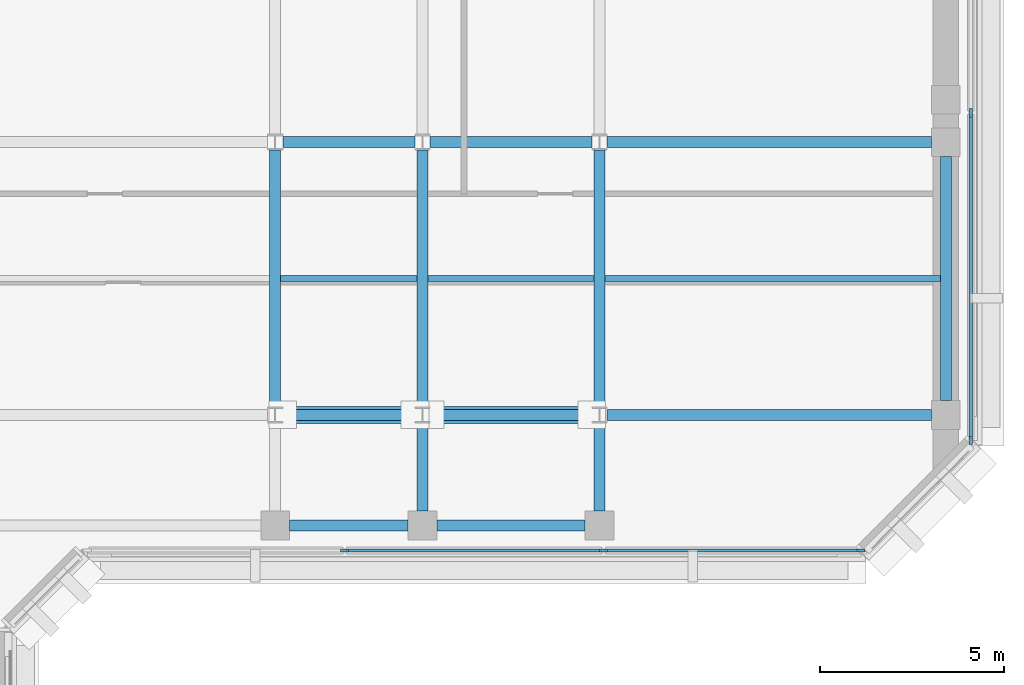
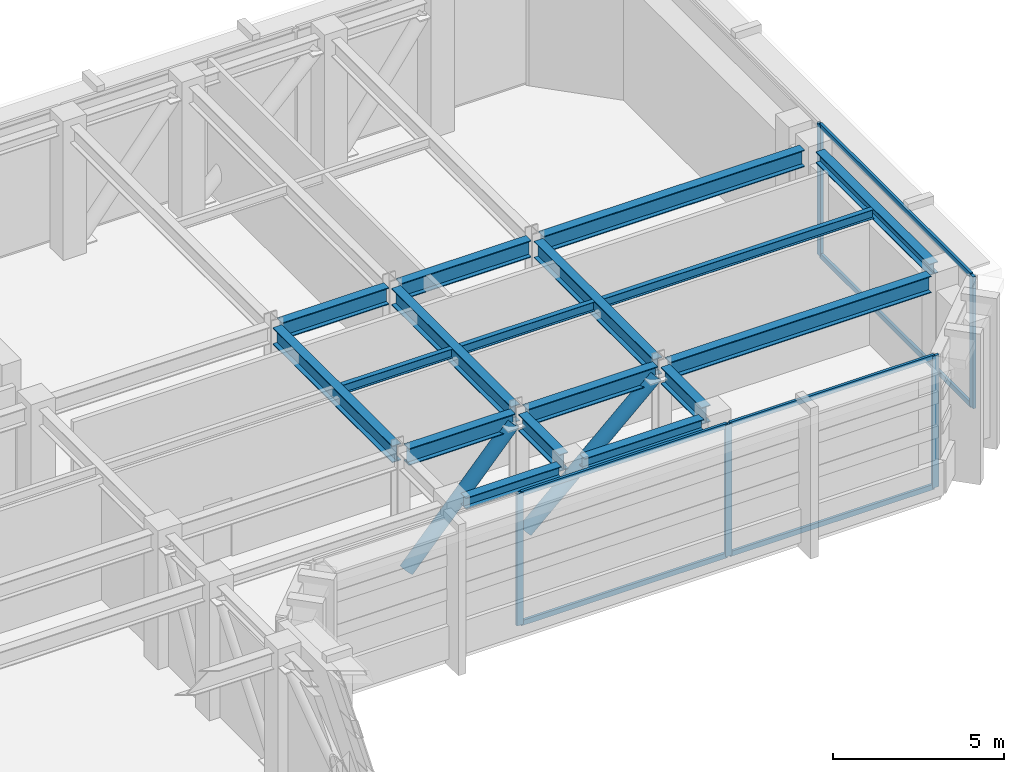
# One storey, part 3 of 11: 17 beams, 13 members, 2 elements without a shape of their own.
"""IFC4 building model written with IfcOpenShell, lengths in metres."""

from ifc_helpers import new_model, si_unit, direction, frame, origin, origin_2d, place, context, subcontext, project, spatial, rectangle, hollow_circle, i_section, extrude, material, layer, layer_set, material_profile, profile_set, type_object, element, aggregate, save


model = new_model("IFC4")

# Units and contexts
model_context = context("Model", 3, precision=1e-05, world=origin(), true_north=direction((0.0, 1.0)))
body_context = subcontext(model_context, "Body", "Model", "MODEL_VIEW")
ifc_project = project(units=[si_unit("LENGTHUNIT", "METRE"), si_unit("AREAUNIT", "SQUARE_METRE"), si_unit("VOLUMEUNIT", "CUBIC_METRE"), si_unit("PLANEANGLEUNIT", "RADIAN"), si_unit("MASSUNIT", "GRAM", prefix="KILO")], contexts=[model_context])

# Site, building, storey
site_placement = place(None, origin())
site = spatial("IfcSite", under=ifc_project, at=site_placement, CompositionType="ELEMENT")
building_placement = place(site_placement, origin())
building = spatial("IfcBuilding", under=site, at=building_placement, Name="Kefirva Bronze Tower", CompositionType="ELEMENT")
storey_placement = place(building_placement, frame((0.0, 0.0, 251.4599609375)))
storey = spatial("IfcBuildingStorey", under=building, at=storey_placement, Name="L61", CompositionType="ELEMENT", Elevation=251.4599609375)

# Curtain wall, members
ifc_material_1 = material(Name="Bronze anodised aluminium", Category="aluminium")
ifc_layer = layer(ifc_material_1, 0.219970703125, Name="Bronze anodised aluminium")
ifc_layer_set = layer_set([ifc_layer], Name="Bronze anodised aluminium")
curtain_wall_type = type_object("IfcCurtainWallType", Name="Refuge Acoustic Louvre Curtain Screen", PredefinedType="USERDEFINED", material=ifc_layer_set)
curtain_wall_1_placement = place(storey_placement, origin())
curtain_wall_1 = element("IfcCurtainWall", 1, at=curtain_wall_1_placement, inside=storey, type_object=curtain_wall_type, Name="L61 Curtain Wall 2", ObjectType="LOUVRE SCREEN WALL", PredefinedType="USERDEFINED")
ifc_material_profile_1 = material_profile(ifc_material_1, rectangle(XDim=0.090087890625, YDim=0.219970703125, at=origin_2d()), Name="ALU 90x220")
ifc_profile_set_1 = profile_set([ifc_material_profile_1], Name="Bronze anodised aluminium")
member_type_1 = type_object("IfcMemberType", Name="Bronze Mullion 90x220", PredefinedType="MULLION", material=ifc_profile_set_1)
member_1_placement = place(storey_placement, frame((33.0849609375, 22.1201171875, 0.0), z_axis=(0.0, 0.0, 1.0), x_axis=(0.0, 1.0, 0.0)))
member_1 = element("IfcMember", 2, at=member_1_placement, type_object=member_type_1, Name="CW-06 mullion 2", PredefinedType="MULLION", context=body_context, shape_type="SweptSolid", body=[
    extrude(rectangle(XDim=0.090087890625, YDim=0.219970703125, at=origin_2d()), origin(), (0.0, 0.0, 1.0), 4.699951171875),
])
member_2_placement = place(storey_placement, frame((40.114990234375, 22.1201171875, 0.0), z_axis=(0.0, 0.0, 1.0), x_axis=(0.0, 1.0, 0.0)))
member_2 = element("IfcMember", 3, at=member_2_placement, type_object=member_type_1, Name="CW-06 mullion 3", PredefinedType="MULLION", context=body_context, shape_type="SweptSolid", body=[
    extrude(rectangle(XDim=0.090087890625, YDim=0.219970703125, at=origin_2d()), origin(), (0.0, 0.0, 1.0), 4.699951171875),
])
member_3_placement = place(storey_placement, frame((47.10009765625, 22.1201171875, 0.0), z_axis=(0.0, 0.0, 1.0), x_axis=(0.0, 1.0, 0.0)))
member_3 = element("IfcMember", 4, at=member_3_placement, type_object=member_type_1, Name="CW-06 mullion 4", PredefinedType="MULLION", context=body_context, shape_type="SweptSolid", body=[
    extrude(rectangle(XDim=0.090087890625, YDim=0.219970703125, at=origin_2d()), origin(), (0.0, 0.0, 1.0), 4.699951171875),
])

curtain_wall_2_placement = place(storey_placement, origin())
curtain_wall_2 = element("IfcCurtainWall", 5, at=curtain_wall_2_placement, inside=storey, type_object=curtain_wall_type, Name="L61 Curtain Wall 3", ObjectType="LOUVRE SCREEN WALL", PredefinedType="USERDEFINED")
member_4_placement = place(storey_placement, frame((50.080078125, 25.10009765625, 0.0), z_axis=(0.0, 0.0, 1.0), x_axis=(-1.0, 0.0, 0.0)))
member_4 = element("IfcMember", 6, at=member_4_placement, type_object=member_type_1, Name="CW-06 mullion 1", PredefinedType="MULLION", context=body_context, shape_type="SweptSolid", body=[
    extrude(rectangle(XDim=0.090087890625, YDim=0.219970703125, at=origin_2d()), origin(), (0.0, 0.0, 1.0), 4.699951171875),
])
member_5_placement = place(storey_placement, frame((50.080078125, 34.0, 0.0), z_axis=(0.0, 0.0, 1.0), x_axis=(-1.0, 0.0, 0.0)))
member_5 = element("IfcMember", 7, at=member_5_placement, type_object=member_type_1, Name="CW-06 mullion 2", PredefinedType="MULLION", context=body_context, shape_type="SweptSolid", body=[
    extrude(rectangle(XDim=0.090087890625, YDim=0.219970703125, at=origin_2d()), origin(), (0.0, 0.0, 1.0), 4.699951171875),
])

# Member
ifc_material_profile_2 = material_profile(ifc_material_1, rectangle(XDim=0.090087890625, YDim=0.179931640625, at=origin_2d()), Name="ALU 90x180")
ifc_profile_set_2 = profile_set([ifc_material_profile_2], Name="Bronze anodised aluminium")
member_type_2 = type_object("IfcMemberType", Name="Bronze Transom 90x180", PredefinedType="USERDEFINED", material=ifc_profile_set_2)
member_6_placement = place(storey_placement, frame((33.1298828125, 22.1201171875, 0.044921875), z_axis=(1.0, 0.0, 0.0), x_axis=(0.0, 1.0, 0.0)))
member_6 = element("IfcMember", 8, at=member_6_placement, type_object=member_type_2, Name="CW-06 transom 2.1", ObjectType="TRANSOM", PredefinedType="USERDEFINED", context=body_context, shape_type="SweptSolid", body=[
    extrude(rectangle(XDim=0.090087890625, YDim=0.179931640625, at=origin_2d()), origin(), (0.0, 0.0, 1.0), 6.940185546875),
])

member_7_placement = place(storey_placement, frame((33.1298828125, 22.1201171875, 4.655029296875), z_axis=(1.0, 0.0, 0.0), x_axis=(0.0, 1.0, 0.0)))
member_7 = element("IfcMember", 9, at=member_7_placement, type_object=member_type_2, Name="CW-06 transom 2.2", ObjectType="TRANSOM", PredefinedType="USERDEFINED", context=body_context, shape_type="SweptSolid", body=[
    extrude(rectangle(XDim=0.090087890625, YDim=0.179931640625, at=origin_2d()), origin(), (0.0, 0.0, 1.0), 6.940185546875),
])

member_8_placement = place(storey_placement, frame((40.159912109375, 22.1201171875, 0.044921875), z_axis=(1.0, 0.0, 0.0), x_axis=(0.0, 1.0, 0.0)))
member_8 = element("IfcMember", 10, at=member_8_placement, type_object=member_type_2, Name="CW-06 transom 3.1", ObjectType="TRANSOM", PredefinedType="USERDEFINED", context=body_context, shape_type="SweptSolid", body=[
    extrude(rectangle(XDim=0.090087890625, YDim=0.179931640625, at=origin_2d()), origin(), (0.0, 0.0, 1.0), 6.89501953125),
])

member_9_placement = place(storey_placement, frame((40.159912109375, 22.1201171875, 4.655029296875), z_axis=(1.0, 0.0, 0.0), x_axis=(0.0, 1.0, 0.0)))
member_9 = element("IfcMember", 11, at=member_9_placement, type_object=member_type_2, Name="CW-06 transom 3.2", ObjectType="TRANSOM", PredefinedType="USERDEFINED", context=body_context, shape_type="SweptSolid", body=[
    extrude(rectangle(XDim=0.090087890625, YDim=0.179931640625, at=origin_2d()), origin(), (0.0, 0.0, 1.0), 6.89501953125),
])

aggregate(curtain_wall_1, [member_1, member_2, member_3, member_6, member_7, member_8, member_9])

member_10_placement = place(storey_placement, frame((50.080078125, 25.14501953125, 0.044921875), z_axis=(0.0, 1.0, 0.0), x_axis=(-1.0, 0.0, 0.0)))
member_10 = element("IfcMember", 12, at=member_10_placement, type_object=member_type_2, Name="CW-06 transom 1.1", ObjectType="TRANSOM", PredefinedType="USERDEFINED", context=body_context, shape_type="SweptSolid", body=[
    extrude(rectangle(XDim=0.090087890625, YDim=0.179931640625, at=origin_2d()), origin(), (0.0, 0.0, 1.0), 8.81005859375),
])

member_11_placement = place(storey_placement, frame((50.080078125, 25.14501953125, 4.655029296875), z_axis=(0.0, 1.0, 0.0), x_axis=(-1.0, 0.0, 0.0)))
member_11 = element("IfcMember", 13, at=member_11_placement, type_object=member_type_2, Name="CW-06 transom 1.2", ObjectType="TRANSOM", PredefinedType="USERDEFINED", context=body_context, shape_type="SweptSolid", body=[
    extrude(rectangle(XDim=0.090087890625, YDim=0.179931640625, at=origin_2d()), origin(), (0.0, 0.0, 1.0), 8.81005859375),
])

aggregate(curtain_wall_2, [member_4, member_5, member_10, member_11])

# Beams
ifc_material_2 = material(Name="Steel S355", Category="steel")
ifc_material_profile_3 = material_profile(ifc_material_2, i_section(OverallWidth=0.159912109375, OverallDepth=0.330078125, WebThickness=0.007568359375, FlangeThickness=0.011474609375, at=origin_2d()), Name="IPE 330")
ifc_profile_set_3 = profile_set([ifc_material_profile_3], Name="Steel S355")
beam_type_1 = type_object("IfcBeamType", Name="Steel Floor Joist IPE 330", PredefinedType="JOIST", material=ifc_profile_set_3)
beam_1_placement = place(storey_placement, frame((31.35009765625, 29.5, 4.53515625), z_axis=(1.0, 0.0, 0.0), x_axis=(0.0, 1.0, 0.0)))
element("IfcBeam", 14, at=beam_1_placement, inside=storey, type_object=beam_type_1, Name="L61 JST-L61-31-295", PredefinedType="JOIST", context=body_context, shape_type="SweptSolid", body=[
    extrude(i_section(OverallWidth=0.159912109375, OverallDepth=0.330078125, WebThickness=0.007568359375, FlangeThickness=0.011474609375, at=origin_2d()), origin(), (0.0, 0.0, 1.0), 3.699951171875),
])
beam_2_placement = place(storey_placement, frame((35.35009765625, 29.5, 4.53515625), z_axis=(1.0, 0.0, 0.0), x_axis=(0.0, 1.0, 0.0)))
element("IfcBeam", 15, at=beam_2_placement, inside=storey, type_object=beam_type_1, Name="L61 JST-L61-35-295", PredefinedType="JOIST", context=body_context, shape_type="SweptSolid", body=[
    extrude(i_section(OverallWidth=0.159912109375, OverallDepth=0.330078125, WebThickness=0.007568359375, FlangeThickness=0.011474609375, at=origin_2d()), origin(), (0.0, 0.0, 1.0), 4.5),
])
beam_3_placement = place(storey_placement, frame((40.14990234375, 29.5, 4.53515625), z_axis=(1.0, 0.0, 0.0), x_axis=(0.0, 1.0, 0.0)))
element("IfcBeam", 16, at=beam_3_placement, inside=storey, type_object=beam_type_1, Name="L61 JST-L61-40-295", PredefinedType="JOIST", context=body_context, shape_type="SweptSolid", body=[
    extrude(i_section(OverallWidth=0.159912109375, OverallDepth=0.330078125, WebThickness=0.007568359375, FlangeThickness=0.011474609375, at=origin_2d()), origin(), (0.0, 0.0, 1.0), 9.10009765625),
])
ifc_material_profile_4 = material_profile(ifc_material_2, i_section(OverallWidth=0.300048828125, OverallDepth=0.60009765625, WebThickness=0.015380859375, FlangeThickness=0.030029296875, at=origin_2d()), Name="HEB 600")
ifc_profile_set_4 = profile_set([ifc_material_profile_4], Name="Steel S355")
beam_type_2 = type_object("IfcBeamType", Name="Steel Girder HEB 600", PredefinedType="USERDEFINED", material=ifc_profile_set_4)
beam_4_placement = place(storey_placement, frame((31.406005859375, 25.800048828125, 4.400146484375), z_axis=(1.0, 0.0, 0.0), x_axis=(0.0, 1.0, 0.0)))
element("IfcBeam", 17, at=beam_4_placement, inside=storey, type_object=beam_type_2, Name="L61 BM-L61-EW-31-258", ObjectType="GIRDER", PredefinedType="USERDEFINED", context=body_context, shape_type="SweptSolid", body=[
    extrude(i_section(OverallWidth=0.300048828125, OverallDepth=0.60009765625, WebThickness=0.015380859375, FlangeThickness=0.030029296875, at=origin_2d()), origin(), (0.0, 0.0, 1.0), 3.587890625),
])
beam_5_placement = place(storey_placement, frame((35.406005859375, 25.800048828125, 4.400146484375), z_axis=(1.0, 0.0, 0.0), x_axis=(0.0, 1.0, 0.0)))
element("IfcBeam", 18, at=beam_5_placement, inside=storey, type_object=beam_type_2, Name="L61 BM-L61-EW-35-258", ObjectType="GIRDER", PredefinedType="USERDEFINED", context=body_context, shape_type="SweptSolid", body=[
    extrude(i_section(OverallWidth=0.300048828125, OverallDepth=0.60009765625, WebThickness=0.015380859375, FlangeThickness=0.030029296875, at=origin_2d()), origin(), (0.0, 0.0, 1.0), 4.387939453125),
])
beam_6_placement = place(storey_placement, frame((40.2060546875, 25.800048828125, 4.400146484375), z_axis=(1.0, 0.0, 0.0), x_axis=(0.0, 1.0, 0.0)))
element("IfcBeam", 19, at=beam_6_placement, inside=storey, type_object=beam_type_2, Name="L61 BM-L61-EW-40-258", ObjectType="GIRDER", PredefinedType="USERDEFINED", context=body_context, shape_type="SweptSolid", body=[
    extrude(i_section(OverallWidth=0.300048828125, OverallDepth=0.60009765625, WebThickness=0.015380859375, FlangeThickness=0.030029296875, at=origin_2d()), origin(), (0.0, 0.0, 1.0), 8.803955078125),
])
beam_7_placement = place(storey_placement, frame((31.406005859375, 33.199951171875, 4.400146484375), z_axis=(1.0, 0.0, 0.0), x_axis=(0.0, 1.0, 0.0)))
element("IfcBeam", 20, at=beam_7_placement, inside=storey, type_object=beam_type_2, Name="L61 BM-L61-EW-31-332", ObjectType="GIRDER", PredefinedType="USERDEFINED", context=body_context, shape_type="SweptSolid", body=[
    extrude(i_section(OverallWidth=0.300048828125, OverallDepth=0.60009765625, WebThickness=0.015380859375, FlangeThickness=0.030029296875, at=origin_2d()), origin(), (0.0, 0.0, 1.0), 3.587890625),
])
beam_8_placement = place(storey_placement, frame((35.406005859375, 33.199951171875, 4.400146484375), z_axis=(1.0, 0.0, 0.0), x_axis=(0.0, 1.0, 0.0)))
element("IfcBeam", 21, at=beam_8_placement, inside=storey, type_object=beam_type_2, Name="L61 BM-L61-EW-35-332", ObjectType="GIRDER", PredefinedType="USERDEFINED", context=body_context, shape_type="SweptSolid", body=[
    extrude(i_section(OverallWidth=0.300048828125, OverallDepth=0.60009765625, WebThickness=0.015380859375, FlangeThickness=0.030029296875, at=origin_2d()), origin(), (0.0, 0.0, 1.0), 4.387939453125),
])
beam_9_placement = place(storey_placement, frame((40.2060546875, 33.199951171875, 4.400146484375), z_axis=(1.0, 0.0, 0.0), x_axis=(0.0, 1.0, 0.0)))
element("IfcBeam", 22, at=beam_9_placement, inside=storey, type_object=beam_type_2, Name="L61 BM-L61-EW-40-332", ObjectType="GIRDER", PredefinedType="USERDEFINED", context=body_context, shape_type="SweptSolid", body=[
    extrude(i_section(OverallWidth=0.300048828125, OverallDepth=0.60009765625, WebThickness=0.015380859375, FlangeThickness=0.030029296875, at=origin_2d()), origin(), (0.0, 0.0, 1.0), 8.803955078125),
])
beam_10_placement = place(storey_placement, frame((31.199951171875, 26.017578125, 4.400146484375), z_axis=(0.0, 1.0, 0.0), x_axis=(-1.0, 0.0, 0.0)))
element("IfcBeam", 23, at=beam_10_placement, inside=storey, type_object=beam_type_2, Name="L61 BM-L61-NS-312-25", ObjectType="GIRDER", PredefinedType="USERDEFINED", context=body_context, shape_type="SweptSolid", body=[
    extrude(i_section(OverallWidth=0.300048828125, OverallDepth=0.60009765625, WebThickness=0.015380859375, FlangeThickness=0.030029296875, at=origin_2d()), origin(), (0.0, 0.0, 1.0), 6.96484375),
])
beam_11_placement = place(storey_placement, frame((35.199951171875, 23.18994140625, 4.400146484375), z_axis=(0.0, 1.0, 0.0), x_axis=(-1.0, 0.0, 0.0)))
element("IfcBeam", 24, at=beam_11_placement, inside=storey, type_object=beam_type_2, Name="L61 BM-L61-NS-352-22", ObjectType="GIRDER", PredefinedType="USERDEFINED", context=body_context, shape_type="SweptSolid", body=[
    extrude(i_section(OverallWidth=0.300048828125, OverallDepth=0.60009765625, WebThickness=0.015380859375, FlangeThickness=0.030029296875, at=origin_2d()), origin(), (0.0, 0.0, 1.0), 2.392578125),
])
beam_12_placement = place(storey_placement, frame((35.199951171875, 26.017578125, 4.400146484375), z_axis=(0.0, 1.0, 0.0), x_axis=(-1.0, 0.0, 0.0)))
element("IfcBeam", 25, at=beam_12_placement, inside=storey, type_object=beam_type_2, Name="L61 BM-L61-NS-352-25", ObjectType="GIRDER", PredefinedType="USERDEFINED", context=body_context, shape_type="SweptSolid", body=[
    extrude(i_section(OverallWidth=0.300048828125, OverallDepth=0.60009765625, WebThickness=0.015380859375, FlangeThickness=0.030029296875, at=origin_2d()), origin(), (0.0, 0.0, 1.0), 6.96484375),
])
beam_13_placement = place(storey_placement, frame((40.0, 23.18994140625, 4.400146484375), z_axis=(0.0, 1.0, 0.0), x_axis=(-1.0, 0.0, 0.0)))
element("IfcBeam", 26, at=beam_13_placement, inside=storey, type_object=beam_type_2, Name="L61 BM-L61-NS-400-22", ObjectType="GIRDER", PredefinedType="USERDEFINED", context=body_context, shape_type="SweptSolid", body=[
    extrude(i_section(OverallWidth=0.300048828125, OverallDepth=0.60009765625, WebThickness=0.015380859375, FlangeThickness=0.030029296875, at=origin_2d()), origin(), (0.0, 0.0, 1.0), 2.392578125),
])
beam_14_placement = place(storey_placement, frame((40.0, 26.017578125, 4.400146484375), z_axis=(0.0, 1.0, 0.0), x_axis=(-1.0, 0.0, 0.0)))
element("IfcBeam", 27, at=beam_14_placement, inside=storey, type_object=beam_type_2, Name="L61 BM-L61-NS-400-25", ObjectType="GIRDER", PredefinedType="USERDEFINED", context=body_context, shape_type="SweptSolid", body=[
    extrude(i_section(OverallWidth=0.300048828125, OverallDepth=0.60009765625, WebThickness=0.015380859375, FlangeThickness=0.030029296875, at=origin_2d()), origin(), (0.0, 0.0, 1.0), 6.96484375),
])

# Members
ifc_material_3 = material(Name="Steel S460", Category="steel")
ifc_material_profile_5 = material_profile(ifc_material_3, hollow_circle(Radius=0.228515625, WallThickness=0.01611328125, at=origin_2d()), Name="CHS 457x16")
ifc_profile_set_5 = profile_set([ifc_material_profile_5], Name="Steel S460")
member_type_3 = type_object("IfcMemberType", Name="Steel Portal Brace CHS 457x16", PredefinedType="BRACE", material=ifc_profile_set_5)
member_12_placement = place(storey_placement, frame((31.406005859375, 25.800048828125, 0.300048828125), z_axis=(0.667718712382, 0.0, 0.74441367608), x_axis=(0.0, 1.0, 0.0)))
element("IfcMember", 28, at=member_12_placement, inside=storey, type_object=member_type_3, Name="L61 Outrigger Belt Brace 8", PredefinedType="BRACE", context=body_context, shape_type="SweptSolid", body=[
    extrude(hollow_circle(Radius=0.228515625, WallThickness=0.01611328125, at=origin_2d()), origin(), (0.0, 0.0, 1.0), 5.373291015625),
])
member_13_placement = place(storey_placement, frame((35.406005859375, 25.800048828125, 0.300048828125), z_axis=(0.739020266419, 0.0, 0.673683193958), x_axis=(0.0, 1.0, 0.0)))
element("IfcMember", 29, at=member_13_placement, inside=storey, type_object=member_type_3, Name="L61 Outrigger Belt Brace 9", PredefinedType="BRACE", context=body_context, shape_type="SweptSolid", body=[
    extrude(hollow_circle(Radius=0.228515625, WallThickness=0.01611328125, at=origin_2d()), origin(), (0.0, 0.0, 1.0), 5.9375),
])

# Beams
ifc_material_profile_6 = material_profile(ifc_material_2, i_section(OverallWidth=0.300048828125, OverallDepth=0.39990234375, WebThickness=0.013427734375, FlangeThickness=0.02392578125, at=origin_2d()), Name="HEB 400")
ifc_profile_set_6 = profile_set([ifc_material_profile_6], Name="Steel S355")
beam_type_3 = type_object("IfcBeamType", Name="Steel Spandrel HEB 400 Ext", PredefinedType="SPANDREL", material=ifc_profile_set_6)
beam_15_placement = place(storey_placement, frame((31.590087890625, 22.800048828125, 4.5), z_axis=(1.0, 0.0, 0.0), x_axis=(0.0, 1.0, 0.0)))
element("IfcBeam", 30, at=beam_15_placement, inside=storey, type_object=beam_type_3, Name="L61 BM-L61-EW-31-228", PredefinedType="SPANDREL", context=body_context, shape_type="SweptSolid", body=[
    extrude(i_section(OverallWidth=0.300048828125, OverallDepth=0.39990234375, WebThickness=0.013427734375, FlangeThickness=0.02392578125, at=origin_2d()), origin(), (0.0, 0.0, 1.0), 3.219970703125),
])
beam_16_placement = place(storey_placement, frame((35.590087890625, 22.800048828125, 4.5), z_axis=(1.0, 0.0, 0.0), x_axis=(0.0, 1.0, 0.0)))
element("IfcBeam", 31, at=beam_16_placement, inside=storey, type_object=beam_type_3, Name="L61 BM-L61-EW-35-228", PredefinedType="SPANDREL", context=body_context, shape_type="SweptSolid", body=[
    extrude(i_section(OverallWidth=0.300048828125, OverallDepth=0.39990234375, WebThickness=0.013427734375, FlangeThickness=0.02392578125, at=origin_2d()), origin(), (0.0, 0.0, 1.0), 4.02001953125),
])
beam_17_placement = place(storey_placement, frame((49.39990234375, 26.18994140625, 4.5), z_axis=(0.0, 1.0, 0.0), x_axis=(-1.0, 0.0, 0.0)))
element("IfcBeam", 32, at=beam_17_placement, inside=storey, type_object=beam_type_3, Name="L61 BM-L61-NS-494-25", PredefinedType="SPANDREL", context=body_context, shape_type="SweptSolid", body=[
    extrude(i_section(OverallWidth=0.300048828125, OverallDepth=0.39990234375, WebThickness=0.013427734375, FlangeThickness=0.02392578125, at=origin_2d()), origin(), (0.0, 0.0, 1.0), 6.6201171875),
])

save(model, "model.ifc")
